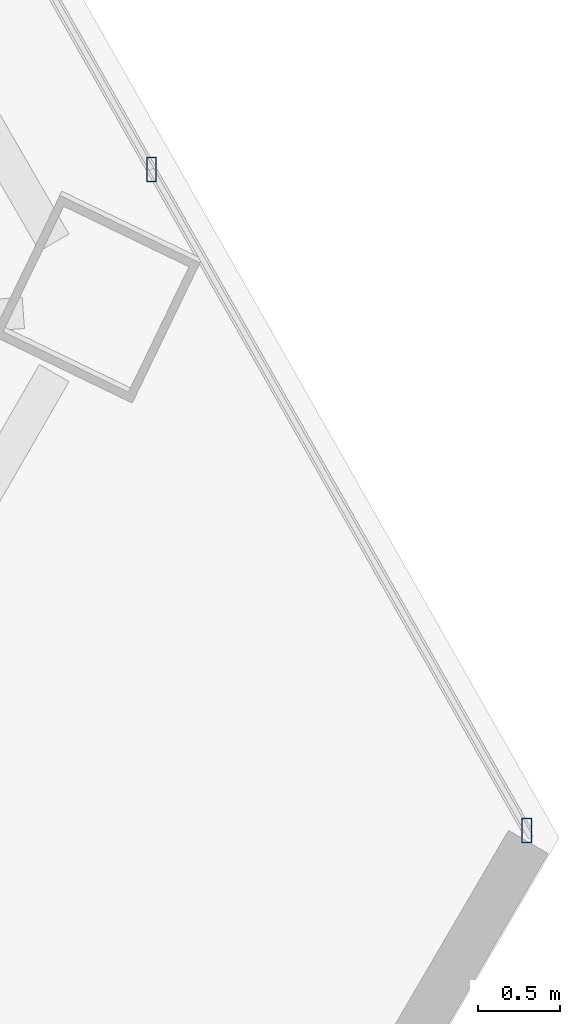
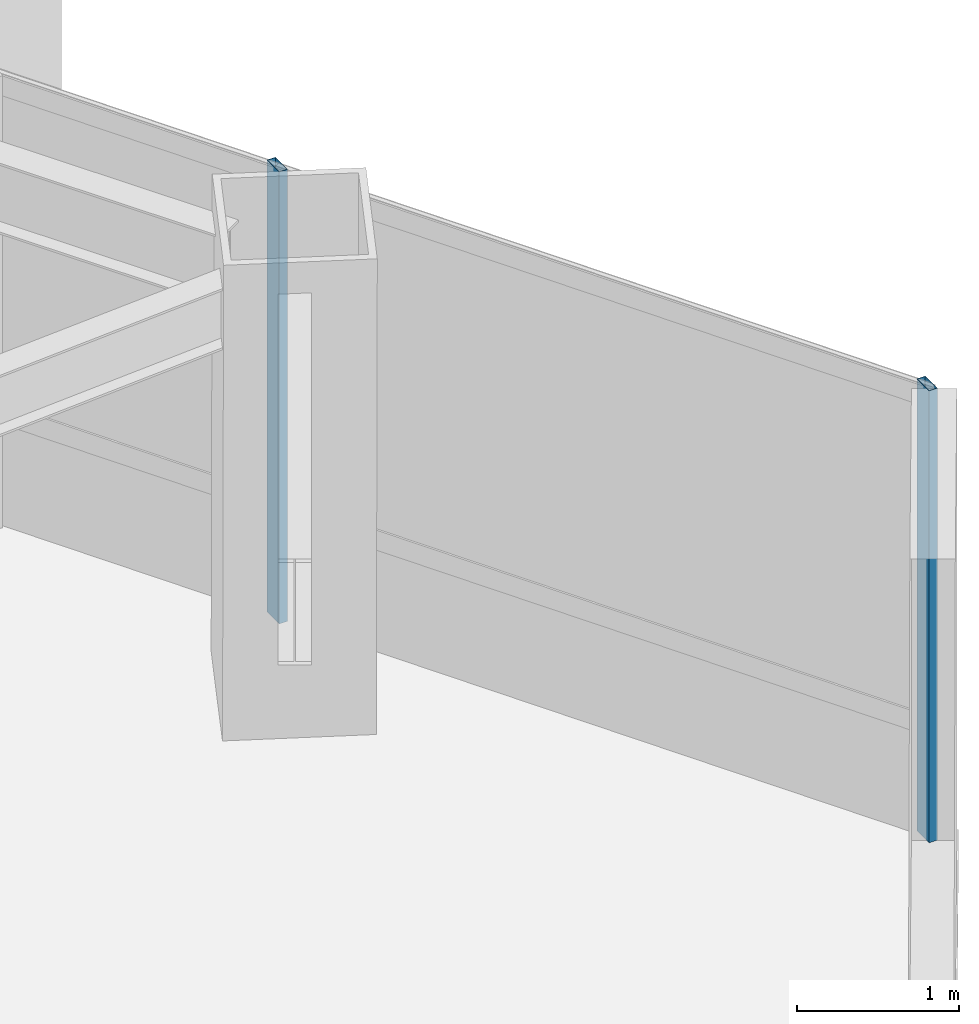
# One storey, part 21 of 41: 2 members, 1 element without a shape of its own.
"""IFC4 building model written with IfcOpenShell, lengths in metres."""

from ifc_helpers import new_model, si_unit, direction, frame, origin, origin_2d, place, context, subcontext, project, spatial, hollow_rectangle, extrude, source, transform, mapped, material, material_profile, profile_set, type_object, type_shapes, element, aggregate, save


model = new_model("IFC4")

# Units and contexts
model_context = context("Model", 3, precision=1e-05, world=origin(), true_north=direction((0.0, 1.0)))
body_context = subcontext(model_context, "Body", "Model", "MODEL_VIEW")
ifc_project = project(units=[si_unit("LENGTHUNIT", "METRE"), si_unit("AREAUNIT", "SQUARE_METRE"), si_unit("VOLUMEUNIT", "CUBIC_METRE"), si_unit("PLANEANGLEUNIT", "RADIAN"), si_unit("MASSUNIT", "GRAM", prefix="KILO")], contexts=[model_context])

# Site, building, storey
site_placement = place(None, origin())
site = spatial("IfcSite", under=ifc_project, at=site_placement, CompositionType="ELEMENT")
building_placement = place(site_placement, origin())
building = spatial("IfcBuilding", under=site, at=building_placement, Name="Caelisora Broadcast Tower", CompositionType="ELEMENT")
storey_placement = place(building_placement, frame((0.0, 0.0, 135.449951171875)))
storey = spatial("IfcBuildingStorey", under=building, at=storey_placement, Name="L35", CompositionType="ELEMENT", Elevation=135.449951171875)

# Curtain wall, members
ifc_material_1 = material(Name="Unitised Aluminium and Low-E Glass Curtain Wall", Category="glass")
curtain_wall_type = type_object("IfcCurtainWallType", Name="CW-Z3", PredefinedType="NOTDEFINED", material=ifc_material_1)
curtain_wall_placement = place(storey_placement, origin())
curtain_wall = element("IfcCurtainWall", 1, at=curtain_wall_placement, inside=storey, type_object=curtain_wall_type, Name="L35 curtain wall CW-Z3", PredefinedType="NOTDEFINED")
ifc_material_2 = material(Name="Aluminium 6063-T6 Anodised Terracotta Bronze", Category="aluminium")
ifc_material_profile = material_profile(ifc_material_2, hollow_rectangle(XDim=0.06005859375, YDim=0.14990234375, WallThickness=0.00341796875, at=origin_2d()), Name="Aluminium 6063-T6 Anodised Terracotta Bronze")
ifc_profile_set = profile_set([ifc_material_profile], Name="Aluminium 6063-T6 Anodised Terracotta Bronze")
member_type = type_object("IfcMemberType", Name="CWM-03", PredefinedType="MULLION", material=ifc_profile_set)
shared_shape = source(origin(), body_context, "Body", "SweptSolid", [
    extrude(hollow_rectangle(XDim=0.06005859375, YDim=0.14990234375, WallThickness=0.00341796875, at=origin_2d()), origin(), (0.0, 0.0, 1.0), 3.400146484375),
])
type_shapes(member_type, [shared_shape])
member_1_placement = place(storey_placement, frame((61.146240234375, 19.368896484375, 0.0), z_axis=(0.0, 0.0, 1.0), x_axis=(1.0, 0.0, 0.0)))
member_1 = element("IfcMember", 2, at=member_1_placement, type_object=member_type, Name="L35-CW-B03 mullion #2", PredefinedType="MULLION", context=body_context, shape_type="MappedRepresentation", body=[
    mapped(shared_shape, transform((0.0, 0.0, 0.0), scale=1.0)),
])
member_2_placement = place(storey_placement, frame((63.438232421875, 15.33056640625, 0.0), z_axis=(0.0, 0.0, 1.0), x_axis=(1.0, 0.0, 0.0)))
member_2 = element("IfcMember", 3, at=member_2_placement, type_object=member_type, Name="L35-CW-B03 mullion #3", PredefinedType="MULLION", context=body_context, shape_type="MappedRepresentation", body=[
    mapped(shared_shape, transform((0.0, 0.0, 0.0), scale=1.0)),
])
aggregate(curtain_wall, [member_1, member_2])

save(model, "model.ifc")
